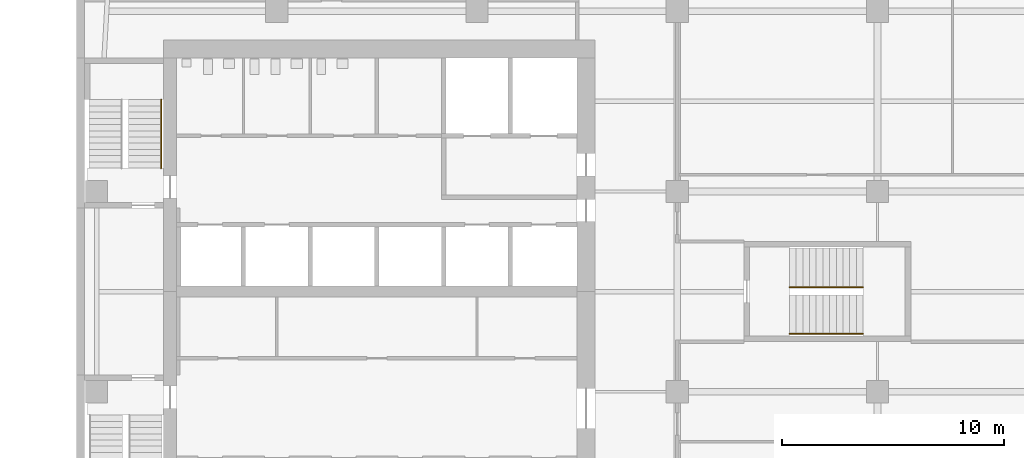
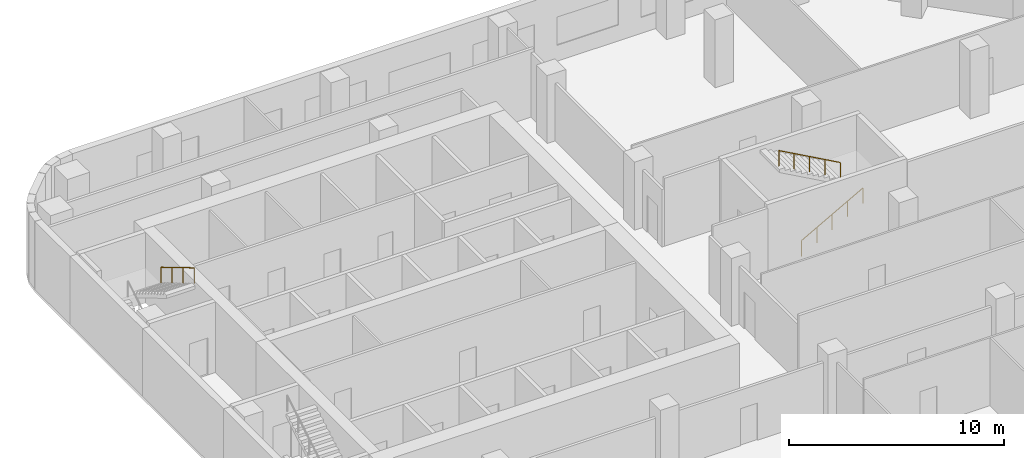
# One storey, part 13 of 14: 3 railings, 2 elements without a shape of their own.
"""IFC4 building model written with IfcOpenShell, lengths in metres."""

from ifc_helpers import new_model, si_unit, direction, frame, origin, origin_2d, place, context, subcontext, project, spatial, circle, extrude, material, type_object, element, aggregate, save


model = new_model("IFC4")

# Units and contexts
model_context = context("Model", 3, precision=1e-05, world=origin(), true_north=direction((0.0, 1.0)))
body_context = subcontext(model_context, "Body", "Model", "MODEL_VIEW")
ifc_project = project(units=[si_unit("LENGTHUNIT", "METRE"), si_unit("AREAUNIT", "SQUARE_METRE"), si_unit("VOLUMEUNIT", "CUBIC_METRE"), si_unit("PLANEANGLEUNIT", "RADIAN"), si_unit("MASSUNIT", "GRAM", prefix="KILO")], contexts=[model_context])

# Site, building, storey
site_placement = place(None, origin())
site = spatial("IfcSite", under=ifc_project, at=site_placement, CompositionType="ELEMENT")
building_placement = place(site_placement, origin())
building = spatial("IfcBuilding", under=site, at=building_placement, Name="Cinnabar Reach Civic Tower", CompositionType="ELEMENT")
storey_placement = place(building_placement, frame((0.0, 0.0, 116.0)))
storey = spatial("IfcBuildingStorey", under=building, at=storey_placement, Name="L27", CompositionType="ELEMENT", Elevation=116.0)

# Stair, railing
ifc_material_1 = material(Name="Concrete C40/50", Category="concrete")
stair_type = type_object("IfcStairType", Name="T1 Exit stair, half-turn", PredefinedType="HALF_TURN_STAIR", material=ifc_material_1)
stair_1_placement = place(storey_placement, origin())
stair_1 = element("IfcStair", 1, at=stair_1_placement, inside=storey, type_object=stair_type, Name="Stair T1-S2", PredefinedType="HALF_TURN_STAIR")
ifc_material_2 = material(Name="Stainless steel tube", Category="steel")
railing_type = type_object("IfcRailingType", Name="T1 Stair handrail, stainless tube 48", PredefinedType="HANDRAIL", material=ifc_material_2)
railing_1_placement = place(storey_placement, frame((3.8, 40.13, 2.1667)))
railing_1 = element("IfcRailing", 2, at=railing_1_placement, type_object=railing_type, Name="T1-S2 handrail 2", PredefinedType="HANDRAIL", context=body_context, shape_type="SweptSolid", body=[
    extrude(circle(Radius=0.024, at=origin_2d()), frame((0.0, 0.0, 0.876), z_axis=(0.0, -0.859296971757, 0.511476992962), x_axis=(1.0, 0.0, 0.0)), (0.0, 0.0, 1.0), 3.5843),
    extrude(circle(Radius=0.021, at=origin_2d()), origin(), (0.0, 0.0, 1.0), 0.852),
    extrude(circle(Radius=0.021, at=origin_2d()), frame((0.0, -1.0267, 0.6111)), (0.0, 0.0, 1.0), 0.852),
    extrude(circle(Radius=0.021, at=origin_2d()), frame((0.0, -2.0533, 1.2222)), (0.0, 0.0, 1.0), 0.852),
    extrude(circle(Radius=0.021, at=origin_2d()), frame((0.0, -3.08, 1.8333)), (0.0, 0.0, 1.0), 0.852),
])
aggregate(stair_1, [railing_1])

# Stair, railings
stair_2_placement = place(storey_placement, origin())
stair_2 = element("IfcStair", 3, at=stair_2_placement, inside=storey, type_object=stair_type, Name="Stair T1-S3", PredefinedType="HALF_TURN_STAIR")
railing_2_placement = place(storey_placement, frame((32.05, 29.6, 0.1667)))
railing_2 = element("IfcRailing", 4, at=railing_2_placement, type_object=railing_type, Name="T1-S3 handrail 1", PredefinedType="HANDRAIL", context=body_context, shape_type="SweptSolid", body=[
    extrude(circle(Radius=0.024, at=origin_2d()), frame((0.0, 0.0, 0.876), z_axis=(0.874161024642, 0.0, 0.485636183781), x_axis=(0.0, 1.0, 0.0)), (0.0, 0.0, 1.0), 3.775),
    extrude(circle(Radius=0.021, at=origin_2d()), origin(), (0.0, 0.0, 1.0), 0.852),
    extrude(circle(Radius=0.021, at=origin_2d()), frame((0.825, 0.0, 0.4583)), (0.0, 0.0, 1.0), 0.852),
    extrude(circle(Radius=0.021, at=origin_2d()), frame((1.65, 0.0, 0.9166)), (0.0, 0.0, 1.0), 0.852),
    extrude(circle(Radius=0.021, at=origin_2d()), frame((2.475, 0.0, 1.375)), (0.0, 0.0, 1.0), 0.852),
    extrude(circle(Radius=0.021, at=origin_2d()), frame((3.3, 0.0, 1.8333)), (0.0, 0.0, 1.0), 0.852),
])
railing_3_placement = place(storey_placement, frame((35.35, 31.7, 2.1667)))
railing_3 = element("IfcRailing", 5, at=railing_3_placement, type_object=railing_type, Name="T1-S3 handrail 2", PredefinedType="HANDRAIL", context=body_context, shape_type="SweptSolid", body=[
    extrude(circle(Radius=0.024, at=origin_2d()), frame((0.0, 0.0, 0.876), z_axis=(-0.874161024642, 0.0, 0.485636183781), x_axis=(0.0, -1.0, 0.0)), (0.0, 0.0, 1.0), 3.775),
    extrude(circle(Radius=0.021, at=origin_2d()), origin(), (0.0, 0.0, 1.0), 0.852),
    extrude(circle(Radius=0.021, at=origin_2d()), frame((-0.825, 0.0, 0.4583)), (0.0, 0.0, 1.0), 0.852),
    extrude(circle(Radius=0.021, at=origin_2d()), frame((-1.65, 0.0, 0.9166)), (0.0, 0.0, 1.0), 0.852),
    extrude(circle(Radius=0.021, at=origin_2d()), frame((-2.475, 0.0, 1.375)), (0.0, 0.0, 1.0), 0.852),
    extrude(circle(Radius=0.021, at=origin_2d()), frame((-3.3, 0.0, 1.8333)), (0.0, 0.0, 1.0), 0.852),
])
aggregate(stair_2, [railing_2, railing_3])

save(model, "model.ifc")
